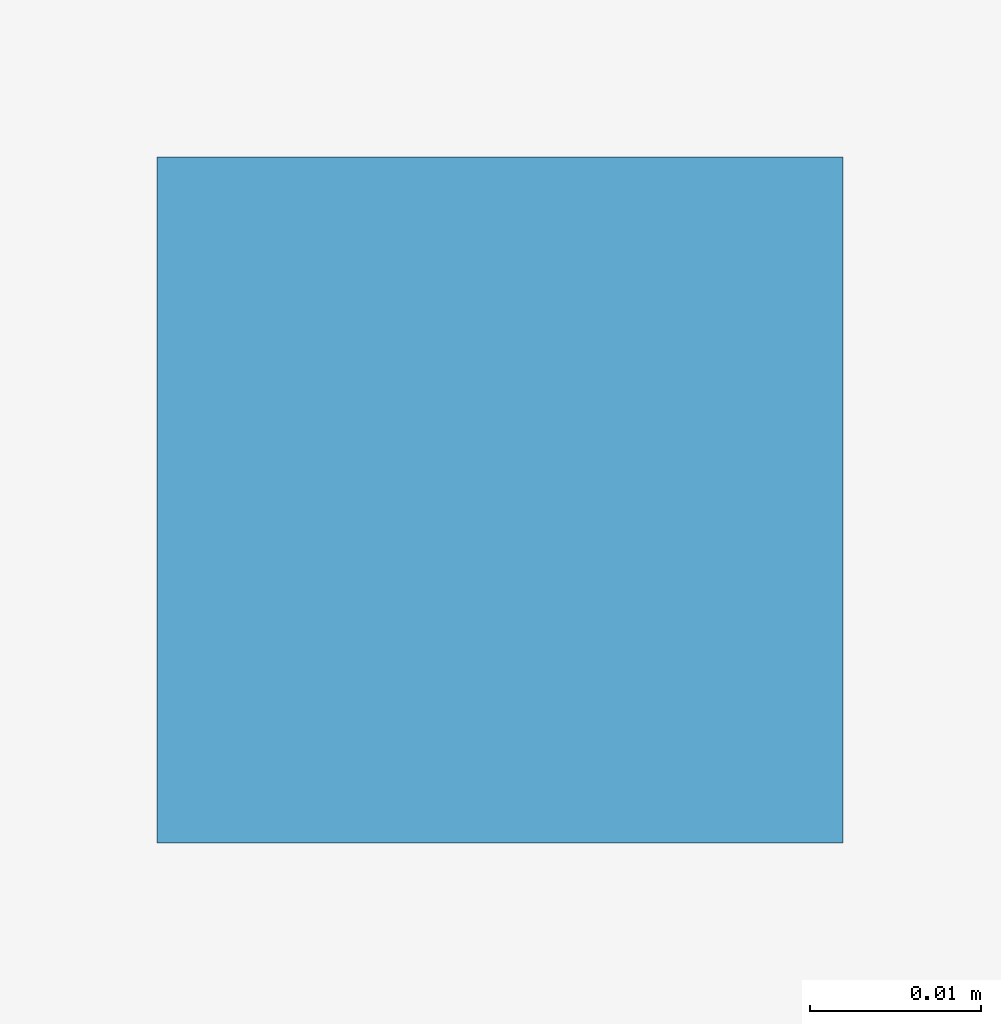
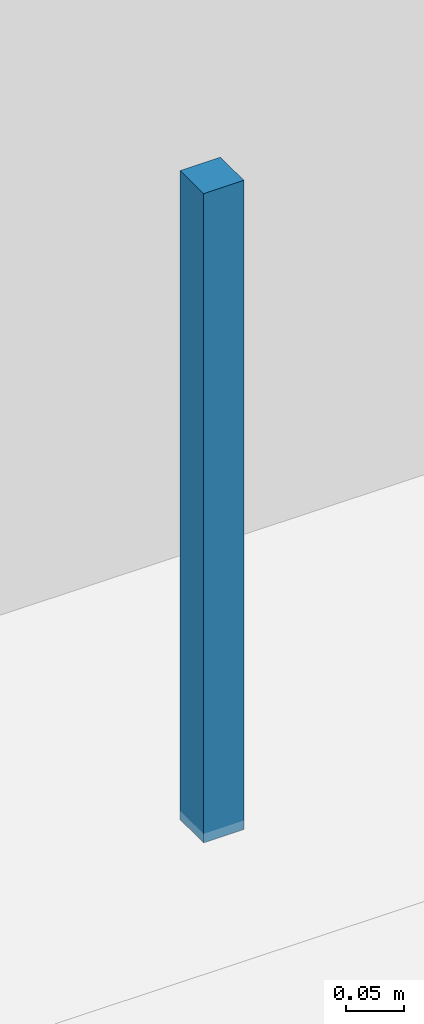
# One storey, part 22 of 28: 1 discrete accessory.
"""IFC4 building model written with IfcOpenShell, lengths in metres."""

from ifc_helpers import new_model, si_unit, direction, frame, origin, origin_2d, place, context, subcontext, project, spatial, rectangle, extrude, material, type_object, element, save


model = new_model("IFC4")

# Units and contexts
model_context = context("Model", 3, precision=1e-05, world=origin(), true_north=direction((0.0, 1.0)))
body_context = subcontext(model_context, "Body", "Model", "MODEL_VIEW")
ifc_project = project(units=[si_unit("LENGTHUNIT", "METRE"), si_unit("AREAUNIT", "SQUARE_METRE"), si_unit("VOLUMEUNIT", "CUBIC_METRE"), si_unit("PLANEANGLEUNIT", "RADIAN"), si_unit("MASSUNIT", "GRAM", prefix="KILO")], contexts=[model_context])

# Site, building, storey
site_placement = place(None, origin())
site = spatial("IfcSite", under=ifc_project, at=site_placement, CompositionType="ELEMENT")
building_placement = place(site_placement, origin())
building = spatial("IfcBuilding", under=site, at=building_placement, Name="Alvorim Cloister Faculty of Sciences", CompositionType="ELEMENT")
storey_placement = place(building_placement, frame((0.0, 0.0, -4.5)))
storey = spatial("IfcBuildingStorey", under=building, at=storey_placement, Name="B01", CompositionType="ELEMENT", Elevation=-4.5)

# Discrete accessory
ifc_material = material(Name="Galvanised Painted Steel", Category="steel")
discrete_accessory_type = type_object("IfcDiscreteAccessoryType", Name="ACC-CEIL-ROD", PredefinedType="BRACKET", material=ifc_material)
discrete_accessory_placement = place(storey_placement, frame((17.050048828125, 1.75, 3.580078125), z_axis=(0.0, 0.0, 1.0), x_axis=(1.0, 0.0, 0.0)))
element("IfcDiscreteAccessory", 1, at=discrete_accessory_placement, inside=storey, type_object=discrete_accessory_type, Name="Ceiling Suspension Bracket ACC-ROD-001", PredefinedType="BRACKET", context=body_context, shape_type="SweptSolid", body=[
    extrude(rectangle(XDim=0.0400390625, YDim=0.0400390625, at=origin_2d()), origin(), (0.0, 0.0, 1.0), 0.679931640625),
])

save(model, "model.ifc")
